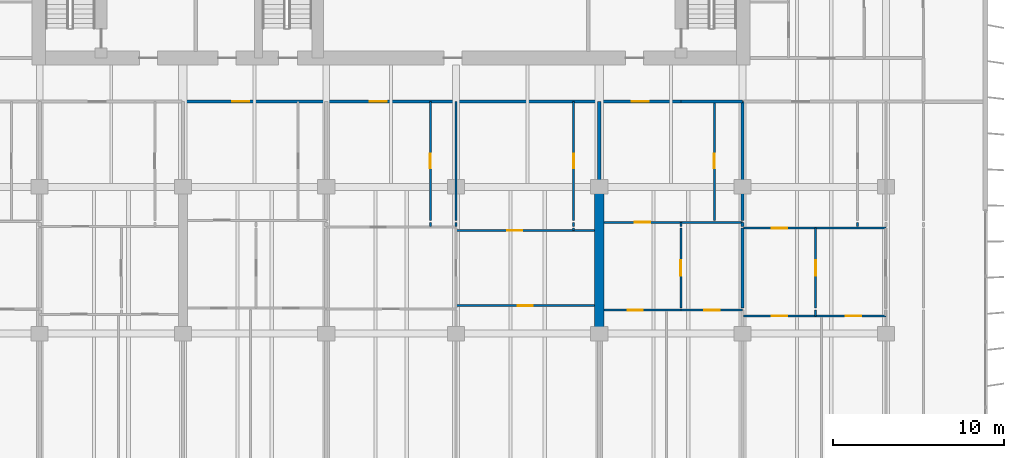
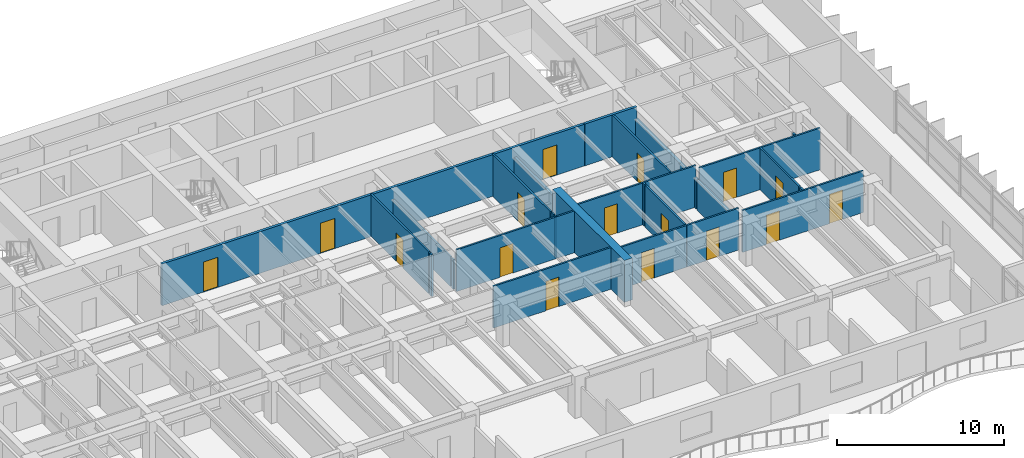
# One storey, part 9 of 17: 28 walls, 16 doors, 16 openings.
"""IFC4 building model written with IfcOpenShell, lengths in metres."""

from ifc_helpers import new_model, si_unit, direction, frame, frame_2d, origin, place, context, subcontext, project, spatial, rectangle, extrude, material, layer, layer_set, type_object, element, fill, save


model = new_model("IFC4")

# Units and contexts
model_context = context("Model", 3, precision=1e-05, world=origin(), true_north=direction((0.0, 1.0)))
body_context = subcontext(model_context, "Body", "Model", "MODEL_VIEW")
ifc_project = project(units=[si_unit("LENGTHUNIT", "METRE"), si_unit("AREAUNIT", "SQUARE_METRE"), si_unit("VOLUMEUNIT", "CUBIC_METRE"), si_unit("PLANEANGLEUNIT", "RADIAN"), si_unit("MASSUNIT", "GRAM", prefix="KILO")], contexts=[model_context])

# Site, building, storey
site_placement = place(None, origin())
site = spatial("IfcSite", under=ifc_project, at=site_placement, CompositionType="ELEMENT")
building_placement = place(site_placement, origin())
building = spatial("IfcBuilding", under=site, at=building_placement, Name="Caelmar Bay Residences", CompositionType="ELEMENT")
storey_placement = place(building_placement, frame((0.0, 0.0, 87.89990234375)))
storey = spatial("IfcBuildingStorey", under=building, at=storey_placement, Name="L23", CompositionType="ELEMENT", Elevation=87.89990234375)

# Wall
ifc_material_1 = material(Name="Concrete f'c 70 MPa (10,000 psi)", Category="concrete")
ifc_layer_1 = layer(ifc_material_1, 0.550048828125)
ifc_layer_set_1 = layer_set([ifc_layer_1], Name="Concrete f'c 70 MPa (10,000 psi)")
wall_type_1 = type_object("IfcWallType", Name="SW-XSLB-550", PredefinedType="SHEAR", material=ifc_layer_set_1)
wall_1_placement = place(storey_placement, frame((51.10009765625, 20.800048828125, 0.0), z_axis=(0.0, 0.0, 1.0), x_axis=(0.0, 1.0, 0.0)))
element("IfcWall", 1, at=wall_1_placement, inside=storey, type_object=wall_type_1, Name="L23 Transverse Cross-Slab Shear Wall E8", PredefinedType="SHEAR", context=body_context, shape_type="SweptSolid", body=[
    extrude(rectangle(XDim=8.599853515625, YDim=0.550048828125, at=frame_2d((4.2998046875, 0.0))), origin(), (0.0, 0.0, 1.0), 3.050048828125),
])

# Wall, openings, doors
ifc_material_2 = material(Name="Double-stud acoustic fire-rated gypsum partition 180 mm")
ifc_layer_2 = layer(ifc_material_2, 0.179931640625)
ifc_layer_set_2 = layer_set([ifc_layer_2], Name="Double-stud acoustic fire-rated gypsum partition 180 mm")
wall_type_2 = type_object("IfcWallType", Name="W-COR-200", PredefinedType="PARTITIONING", material=ifc_layer_set_2)
wall_2_placement = place(storey_placement, frame((26.699951171875, 34.39990234375, 0.0), z_axis=(0.0, 0.0, 1.0), x_axis=(1.0, 0.0, 0.0)))
wall_2 = element("IfcWall", 2, at=wall_2_placement, inside=storey, type_object=wall_type_2, Name="L23 Partition Wall H132", PredefinedType="PARTITIONING", context=body_context, shape_type="SweptSolid", body=[
    extrude(rectangle(XDim=29.18603515625, YDim=0.179931640625, at=frame_2d((14.593017578125, 0.0))), origin(), (0.0, 0.0, 1.0), 3.050048828125),
])
opening_1_placement = place(wall_2_placement, frame((2.875, 0.0, 0.0)))
opening_1 = element("IfcOpeningElement", 3, at=opening_1_placement, cuts=wall_2, Name="Opening D-L23-138", PredefinedType="OPENING", context=body_context, shape_type="SweptSolid", body=[
    extrude(rectangle(XDim=1.0, YDim=2.199951171875, at=frame_2d((0.5, 1.10009765625))), frame((0.0, 0.099853515625, 0.0), z_axis=(0.0, -1.0, 0.0), x_axis=(1.0, 0.0, 0.0)), (0.0, 0.0, 1.0), 0.199951171875),
])
opening_2_placement = place(wall_2_placement, frame((10.949951171875, 0.0, 0.0)))
opening_2 = element("IfcOpeningElement", 4, at=opening_2_placement, cuts=wall_2, Name="Opening D-L23-145", PredefinedType="OPENING", context=body_context, shape_type="SweptSolid", body=[
    extrude(rectangle(XDim=1.0, YDim=2.199951171875, at=frame_2d((0.5, 1.10009765625))), frame((0.0, 0.099853515625, 0.0), z_axis=(0.0, -1.0, 0.0), x_axis=(1.0, 0.0, 0.0)), (0.0, 0.0, 1.0), 0.199951171875),
])
opening_3_placement = place(wall_2_placement, frame((26.29296875, 0.0, 0.0)))
opening_3 = element("IfcOpeningElement", 5, at=opening_3_placement, cuts=wall_2, Name="Opening D-L23-154", PredefinedType="OPENING", context=body_context, shape_type="SweptSolid", body=[
    extrude(rectangle(XDim=1.0, YDim=2.199951171875, at=frame_2d((0.5, 1.10009765625))), frame((0.0, 0.099853515625, 0.0), z_axis=(0.0, -1.0, 0.0), x_axis=(1.0, 0.0, 0.0)), (0.0, 0.0, 1.0), 0.199951171875),
])
ifc_material_3 = material(Name="Fire-rated steel and walnut architectural door assembly", Category="steel")
ifc_layer_3 = layer(ifc_material_3, 0.050048828125)
ifc_layer_set_3 = layer_set([ifc_layer_3], Name="Fire-rated steel and walnut architectural door assembly")
door_type_1 = type_object("IfcDoorType", Name="D-UNIT-1000", OperationType="NOTDEFINED", PredefinedType="DOOR", material=ifc_layer_set_3)
door_1_placement = place(opening_1_placement, origin())
door_1 = element("IfcDoor", 6, at=door_1_placement, inside=storey, type_object=door_type_1, Name="L23 Residence 03 Apartment Hall Door", OperationType="SINGLE_SWING_RIGHT", OverallHeight=2.199951171875, OverallWidth=1.0, PredefinedType="DOOR", context=body_context, shape_type="SweptSolid", body=[
    extrude(rectangle(XDim=1.0, YDim=2.199951171875, at=frame_2d((0.5, 1.10009765625))), frame((0.0, 0.02490234375, 0.0), z_axis=(0.0, -1.0, 0.0), x_axis=(1.0, 0.0, 0.0)), (0.0, 0.0, 1.0), 0.050048828125),
])
fill(opening_1, door_1)
door_2_placement = place(opening_2_placement, origin())
door_2 = element("IfcDoor", 7, at=door_2_placement, inside=storey, type_object=door_type_1, Name="L23 Residence 04 Apartment Hall Door", OperationType="SINGLE_SWING_LEFT", OverallHeight=2.199951171875, OverallWidth=1.0, PredefinedType="DOOR", context=body_context, shape_type="SweptSolid", body=[
    extrude(rectangle(XDim=1.0, YDim=2.199951171875, at=frame_2d((0.5, 1.10009765625))), frame((0.0, 0.02490234375, 0.0), z_axis=(0.0, -1.0, 0.0), x_axis=(1.0, 0.0, 0.0)), (0.0, 0.0, 1.0), 0.050048828125),
])
fill(opening_2, door_2)
door_3_placement = place(opening_3_placement, origin())
door_3 = element("IfcDoor", 8, at=door_3_placement, inside=storey, type_object=door_type_1, Name="L23 Residence 05 Apartment Hall Door", OperationType="SINGLE_SWING_RIGHT", OverallHeight=2.199951171875, OverallWidth=1.0, PredefinedType="DOOR", context=body_context, shape_type="SweptSolid", body=[
    extrude(rectangle(XDim=1.0, YDim=2.199951171875, at=frame_2d((0.5, 1.10009765625))), frame((0.0, 0.02490234375, 0.0), z_axis=(0.0, -1.0, 0.0), x_axis=(1.0, 0.0, 0.0)), (0.0, 0.0, 1.0), 0.050048828125),
])
fill(opening_3, door_3)

# Walls
wall_3_placement = place(storey_placement, frame((55.89990234375, 34.39990234375, 0.0), z_axis=(0.0, 0.0, 1.0), x_axis=(1.0, 0.0, 0.0)))
element("IfcWall", 9, at=wall_3_placement, inside=storey, type_object=wall_type_2, Name="L23 Partition Wall H133", PredefinedType="PARTITIONING", context=body_context, shape_type="SweptSolid", body=[
    extrude(rectangle(XDim=3.60009765625, YDim=0.179931640625, at=frame_2d((1.800048828125, 0.0))), origin(), (0.0, 0.0, 1.0), 3.050048828125),
])
ifc_material_4 = material(Name="Acoustic metal-stud gypsum partition 120 mm")
ifc_layer_4 = layer(ifc_material_4, 0.1201171875)
ifc_layer_set_4 = layer_set([ifc_layer_4], Name="Acoustic metal-stud gypsum partition 120 mm")
wall_type_3 = type_object("IfcWallType", Name="W-PRT-120", PredefinedType="PARTITIONING", material=ifc_layer_set_4)
wall_4_placement = place(storey_placement, frame((41.199951171875, 27.080078125, 0.0), z_axis=(0.0, 0.0, 1.0), x_axis=(0.0, 1.0, 0.0)))
element("IfcWall", 10, at=wall_4_placement, inside=storey, type_object=wall_type_3, Name="L23 Partition Wall V053", PredefinedType="PARTITIONING", context=body_context, shape_type="SweptSolid", body=[
    extrude(rectangle(XDim=0.239990234375, YDim=0.1201171875, at=frame_2d((0.1201171875, 0.0))), origin(), (0.0, 0.0, 1.0), 3.050048828125),
])

# Wall, opening, door
wall_5_placement = place(storey_placement, frame((41.199951171875, 27.43994140625, 0.0), z_axis=(0.0, 0.0, 1.0), x_axis=(0.0, 1.0, 0.0)))
wall_5 = element("IfcWall", 11, at=wall_5_placement, inside=storey, type_object=wall_type_3, Name="L23 Partition Wall V054", PredefinedType="PARTITIONING", context=body_context, shape_type="SweptSolid", body=[
    extrude(rectangle(XDim=6.9599609375, YDim=0.1201171875, at=frame_2d((3.47998046875, 0.0))), origin(), (0.0, 0.0, 1.0), 3.050048828125),
])
opening_4_placement = place(wall_5_placement, frame((3.054931640625, 0.0, 0.0)))
opening_4 = element("IfcOpeningElement", 12, at=opening_4_placement, cuts=wall_5, Name="Opening D-L23-146", PredefinedType="OPENING", context=body_context, shape_type="SweptSolid", body=[
    extrude(rectangle(XDim=0.85009765625, YDim=2.10009765625, at=frame_2d((0.425048828125, 1.050048828125))), frame((0.0, 0.070068359375, 0.0), z_axis=(0.0, -1.0, 0.0), x_axis=(1.0, 0.0, 0.0)), (0.0, 0.0, 1.0), 0.14013671875),
])
ifc_material_5 = material(Name="Solid walnut timber interior door leaf and frame", Category="wood")
ifc_layer_5 = layer(ifc_material_5, 0.050048828125)
ifc_layer_set_5 = layer_set([ifc_layer_5], Name="Solid walnut timber interior door leaf and frame")
door_type_2 = type_object("IfcDoorType", Name="D-BATH-850", OperationType="NOTDEFINED", PredefinedType="DOOR", material=ifc_layer_set_5)
door_4_placement = place(opening_4_placement, origin())
door_4 = element("IfcDoor", 13, at=door_4_placement, inside=storey, type_object=door_type_2, Name="L23 Residence 04 Guest Bathroom Door", OperationType="SINGLE_SWING_RIGHT", OverallHeight=2.10009765625, OverallWidth=0.85009765625, PredefinedType="DOOR", context=body_context, shape_type="SweptSolid", body=[
    extrude(rectangle(XDim=0.85009765625, YDim=2.10009765625, at=frame_2d((0.425048828125, 1.050048828125))), frame((0.0, 0.02490234375, 0.0), z_axis=(0.0, -1.0, 0.0), x_axis=(1.0, 0.0, 0.0)), (0.0, 0.0, 1.0), 0.050048828125),
])
fill(opening_4, door_4)

# Walls
wall_6_placement = place(storey_placement, frame((42.699951171875, 27.080078125, 0.0), z_axis=(0.0, 0.0, 1.0), x_axis=(0.0, 1.0, 0.0)))
element("IfcWall", 14, at=wall_6_placement, inside=storey, type_object=wall_type_3, Name="L23 Partition Wall V058", PredefinedType="PARTITIONING", context=body_context, shape_type="SweptSolid", body=[
    extrude(rectangle(XDim=0.239990234375, YDim=0.1201171875, at=frame_2d((0.1201171875, 0.0))), origin(), (0.0, 0.0, 1.0), 2.174072265625),
])
wall_7_placement = place(storey_placement, frame((42.699951171875, 27.43994140625, 0.0), z_axis=(0.0, 0.0, 1.0), x_axis=(0.0, 1.0, 0.0)))
element("IfcWall", 15, at=wall_7_placement, inside=storey, type_object=wall_type_3, Name="L23 Partition Wall V059", PredefinedType="PARTITIONING", context=body_context, shape_type="SweptSolid", body=[
    extrude(rectangle(XDim=6.9599609375, YDim=0.1201171875, at=frame_2d((3.47998046875, 0.0))), origin(), (0.0, 0.0, 1.0), 2.174072265625),
])
wall_8_placement = place(storey_placement, frame((49.60009765625, 26.840087890625, 0.0), z_axis=(0.0, 0.0, 1.0), x_axis=(0.0, 1.0, 0.0)))
element("IfcWall", 16, at=wall_8_placement, inside=storey, type_object=wall_type_3, Name="L23 Partition Wall V064", PredefinedType="PARTITIONING", context=body_context, shape_type="SweptSolid", body=[
    extrude(rectangle(XDim=0.139892578125, YDim=0.1201171875, at=frame_2d((0.06982421875, 0.0))), origin(), (0.0, 0.0, 1.0), 3.050048828125),
])
wall_9_placement = place(storey_placement, frame((49.60009765625, 27.080078125, 0.0), z_axis=(0.0, 0.0, 1.0), x_axis=(0.0, 1.0, 0.0)))
element("IfcWall", 17, at=wall_9_placement, inside=storey, type_object=wall_type_3, Name="L23 Partition Wall V065", PredefinedType="PARTITIONING", context=body_context, shape_type="SweptSolid", body=[
    extrude(rectangle(XDim=0.239990234375, YDim=0.1201171875, at=frame_2d((0.1201171875, 0.0))), origin(), (0.0, 0.0, 1.0), 3.050048828125),
])

# Wall, opening, door
wall_10_placement = place(storey_placement, frame((49.60009765625, 27.43994140625, 0.0), z_axis=(0.0, 0.0, 1.0), x_axis=(0.0, 1.0, 0.0)))
wall_10 = element("IfcWall", 18, at=wall_10_placement, inside=storey, type_object=wall_type_3, Name="L23 Partition Wall V066", PredefinedType="PARTITIONING", context=body_context, shape_type="SweptSolid", body=[
    extrude(rectangle(XDim=6.9599609375, YDim=0.1201171875, at=frame_2d((3.47998046875, 0.0))), origin(), (0.0, 0.0, 1.0), 3.050048828125),
])
opening_5_placement = place(wall_10_placement, frame((3.054931640625, 0.0, 0.0)))
opening_5 = element("IfcOpeningElement", 19, at=opening_5_placement, cuts=wall_10, Name="Opening D-L23-151", PredefinedType="OPENING", context=body_context, shape_type="SweptSolid", body=[
    extrude(rectangle(XDim=0.85009765625, YDim=2.10009765625, at=frame_2d((0.425048828125, 1.050048828125))), frame((0.0, 0.070068359375, 0.0), z_axis=(0.0, -1.0, 0.0), x_axis=(1.0, 0.0, 0.0)), (0.0, 0.0, 1.0), 0.14013671875),
])
door_5_placement = place(opening_5_placement, origin())
door_5 = element("IfcDoor", 20, at=door_5_placement, inside=storey, type_object=door_type_2, Name="L23 Residence 04 En-Suite Bathroom 1 Door", OperationType="SINGLE_SWING_LEFT", OverallHeight=2.10009765625, OverallWidth=0.85009765625, PredefinedType="DOOR", context=body_context, shape_type="SweptSolid", body=[
    extrude(rectangle(XDim=0.85009765625, YDim=2.10009765625, at=frame_2d((0.425048828125, 1.050048828125))), frame((0.0, 0.02490234375, 0.0), z_axis=(0.0, -1.0, 0.0), x_axis=(1.0, 0.0, 0.0)), (0.0, 0.0, 1.0), 0.050048828125),
])
fill(opening_5, door_5)

wall_11_placement = place(storey_placement, frame((55.885986328125, 22.2900390625, 0.0), z_axis=(0.0, 0.0, 1.0), x_axis=(0.0, 1.0, 0.0)))
wall_11 = element("IfcWall", 21, at=wall_11_placement, inside=storey, type_object=wall_type_3, Name="L23 Partition Wall V076", PredefinedType="PARTITIONING", context=body_context, shape_type="SweptSolid", body=[
    extrude(rectangle(XDim=4.68994140625, YDim=0.1201171875, at=frame_2d((2.344970703125, 0.0))), origin(), (0.0, 0.0, 1.0), 3.050048828125),
])
opening_6_placement = place(wall_11_placement, frame((1.89501953125, 0.0, 0.0)))
opening_6 = element("IfcOpeningElement", 22, at=opening_6_placement, cuts=wall_11, Name="Opening D-L23-157", PredefinedType="OPENING", context=body_context, shape_type="SweptSolid", body=[
    extrude(rectangle(XDim=0.89990234375, YDim=2.14990234375, at=frame_2d((0.449951171875, 1.074951171875))), frame((0.0, 0.070068359375, 0.0), z_axis=(0.0, -1.0, 0.0), x_axis=(1.0, 0.0, 0.0)), (0.0, 0.0, 1.0), 0.14013671875),
])
ifc_layer_6 = layer(ifc_material_5, 0.050048828125)
ifc_layer_set_6 = layer_set([ifc_layer_6], Name="Solid walnut timber interior door leaf and frame")
door_type_3 = type_object("IfcDoorType", Name="D-ROOM-900", OperationType="NOTDEFINED", PredefinedType="DOOR", material=ifc_layer_set_6)
door_6_placement = place(opening_6_placement, origin())
door_6 = element("IfcDoor", 23, at=door_6_placement, inside=storey, type_object=door_type_3, Name="L23 Residence 05 Study Door", OperationType="SINGLE_SWING_LEFT", OverallHeight=2.14990234375, OverallWidth=0.89990234375, PredefinedType="DOOR", context=body_context, shape_type="SweptSolid", body=[
    extrude(rectangle(XDim=0.89990234375, YDim=2.14990234375, at=frame_2d((0.449951171875, 1.074951171875))), frame((0.0, 0.02490234375, 0.0), z_axis=(0.0, -1.0, 0.0), x_axis=(1.0, 0.0, 0.0)), (0.0, 0.0, 1.0), 0.050048828125),
])
fill(opening_6, door_6)

# Wall
wall_12_placement = place(storey_placement, frame((55.885986328125, 27.080078125, 0.0), z_axis=(0.0, 0.0, 1.0), x_axis=(0.0, 1.0, 0.0)))
element("IfcWall", 24, at=wall_12_placement, inside=storey, type_object=wall_type_3, Name="L23 Partition Wall V077", PredefinedType="PARTITIONING", context=body_context, shape_type="SweptSolid", body=[
    extrude(rectangle(XDim=0.239990234375, YDim=0.1201171875, at=frame_2d((0.1201171875, 0.0))), origin(), (0.0, 0.0, 1.0), 3.050048828125),
])

# Wall, opening, door
wall_13_placement = place(storey_placement, frame((57.85009765625, 27.43994140625, 0.0), z_axis=(0.0, 0.0, 1.0), x_axis=(0.0, 1.0, 0.0)))
wall_13 = element("IfcWall", 25, at=wall_13_placement, inside=storey, type_object=wall_type_3, Name="L23 Partition Wall V079", PredefinedType="PARTITIONING", context=body_context, shape_type="SweptSolid", body=[
    extrude(rectangle(XDim=6.9599609375, YDim=0.1201171875, at=frame_2d((3.47998046875, 0.0))), origin(), (0.0, 0.0, 1.0), 3.050048828125),
])
opening_7_placement = place(wall_13_placement, frame((3.054931640625, 0.0, 0.0)))
opening_7 = element("IfcOpeningElement", 26, at=opening_7_placement, cuts=wall_13, Name="Opening D-L23-155", PredefinedType="OPENING", context=body_context, shape_type="SweptSolid", body=[
    extrude(rectangle(XDim=0.85009765625, YDim=2.10009765625, at=frame_2d((0.425048828125, 1.050048828125))), frame((0.0, 0.070068359375, 0.0), z_axis=(0.0, -1.0, 0.0), x_axis=(1.0, 0.0, 0.0)), (0.0, 0.0, 1.0), 0.14013671875),
])
door_7_placement = place(opening_7_placement, origin())
door_7 = element("IfcDoor", 27, at=door_7_placement, inside=storey, type_object=door_type_2, Name="L23 Residence 05 Bathroom Door", OperationType="SINGLE_SWING_LEFT", OverallHeight=2.10009765625, OverallWidth=0.85009765625, PredefinedType="DOOR", context=body_context, shape_type="SweptSolid", body=[
    extrude(rectangle(XDim=0.85009765625, YDim=2.10009765625, at=frame_2d((0.425048828125, 1.050048828125))), frame((0.0, 0.02490234375, 0.0), z_axis=(0.0, -1.0, 0.0), x_axis=(1.0, 0.0, 0.0)), (0.0, 0.0, 1.0), 0.050048828125),
])
fill(opening_7, door_7)

# Wall
wall_14_placement = place(storey_placement, frame((63.785888671875, 21.830078125, 0.0), z_axis=(0.0, 0.0, 1.0), x_axis=(0.0, 1.0, 0.0)))
element("IfcWall", 28, at=wall_14_placement, inside=storey, type_object=wall_type_3, Name="L23 Partition Wall V086", PredefinedType="PARTITIONING", context=body_context, shape_type="SweptSolid", body=[
    extrude(rectangle(XDim=0.33984375, YDim=0.1201171875, at=frame_2d((0.169921875, 0.0))), origin(), (0.0, 0.0, 1.0), 3.050048828125),
])

# Wall, opening, door
wall_15_placement = place(storey_placement, frame((63.785888671875, 22.2900390625, 0.0), z_axis=(0.0, 0.0, 1.0), x_axis=(0.0, 1.0, 0.0)))
wall_15 = element("IfcWall", 29, at=wall_15_placement, inside=storey, type_object=wall_type_3, Name="L23 Partition Wall V087", PredefinedType="PARTITIONING", context=body_context, shape_type="SweptSolid", body=[
    extrude(rectangle(XDim=4.68994140625, YDim=0.1201171875, at=frame_2d((2.344970703125, 0.0))), origin(), (0.0, 0.0, 1.0), 3.050048828125),
])
opening_8_placement = place(wall_15_placement, frame((1.89501953125, 0.0, 0.0)))
opening_8 = element("IfcOpeningElement", 30, at=opening_8_placement, cuts=wall_15, Name="Opening D-L23-164", PredefinedType="OPENING", context=body_context, shape_type="SweptSolid", body=[
    extrude(rectangle(XDim=0.89990234375, YDim=2.14990234375, at=frame_2d((0.449951171875, 1.074951171875))), frame((0.0, 0.070068359375, 0.0), z_axis=(0.0, -1.0, 0.0), x_axis=(1.0, 0.0, 0.0)), (0.0, 0.0, 1.0), 0.14013671875),
])
door_8_placement = place(opening_8_placement, origin())
door_8 = element("IfcDoor", 31, at=door_8_placement, inside=storey, type_object=door_type_3, Name="L23 Residence 06 Study Door", OperationType="SINGLE_SWING_RIGHT", OverallHeight=2.14990234375, OverallWidth=0.89990234375, PredefinedType="DOOR", context=body_context, shape_type="SweptSolid", body=[
    extrude(rectangle(XDim=0.89990234375, YDim=2.14990234375, at=frame_2d((0.449951171875, 1.074951171875))), frame((0.0, 0.02490234375, 0.0), z_axis=(0.0, -1.0, 0.0), x_axis=(1.0, 0.0, 0.0)), (0.0, 0.0, 1.0), 0.050048828125),
])
fill(opening_8, door_8)

# Wall
wall_16_placement = place(storey_placement, frame((66.25, 27.080078125, 0.0), z_axis=(0.0, 0.0, 1.0), x_axis=(0.0, 1.0, 0.0)))
element("IfcWall", 32, at=wall_16_placement, inside=storey, type_object=wall_type_3, Name="L23 Partition Wall V090", PredefinedType="PARTITIONING", context=body_context, shape_type="SweptSolid", body=[
    extrude(rectangle(XDim=0.239990234375, YDim=0.1201171875, at=frame_2d((0.1201171875, 0.0))), origin(), (0.0, 0.0, 1.0), 3.050048828125),
])

# Wall, openings, doors
wall_17_placement = place(storey_placement, frame((59.550048828125, 21.830078125, 0.0), z_axis=(0.0, 0.0, 1.0), x_axis=(1.0, 0.0, 0.0)))
wall_17 = element("IfcWall", 33, at=wall_17_placement, inside=storey, type_object=wall_type_3, Name="L23 Partition Wall H113", PredefinedType="PARTITIONING", context=body_context, shape_type="SweptSolid", body=[
    extrude(rectangle(XDim=8.349853515625, YDim=0.1201171875, at=frame_2d((4.1748046875, 0.0))), origin(), (0.0, 0.0, 1.0), 3.050048828125),
])
opening_9_placement = place(wall_17_placement, frame((1.66796875, 0.0, 0.0)))
opening_9 = element("IfcOpeningElement", 34, at=opening_9_placement, cuts=wall_17, Name="Opening D-L23-165", PredefinedType="OPENING", context=body_context, shape_type="SweptSolid", body=[
    extrude(rectangle(XDim=0.89990234375, YDim=2.14990234375, at=frame_2d((0.449951171875, 1.074951171875))), frame((0.0, 0.070068359375, 0.0), z_axis=(0.0, -1.0, 0.0), x_axis=(1.0, 0.0, 0.0)), (0.0, 0.0, 1.0), 0.14013671875),
])
opening_10_placement = place(wall_17_placement, frame((6.010009765625, 0.0, 0.0)))
opening_10 = element("IfcOpeningElement", 35, at=opening_10_placement, cuts=wall_17, Name="Opening D-L23-166", PredefinedType="OPENING", context=body_context, shape_type="SweptSolid", body=[
    extrude(rectangle(XDim=0.89990234375, YDim=2.14990234375, at=frame_2d((0.449951171875, 1.074951171875))), frame((0.0, 0.070068359375, 0.0), z_axis=(0.0, -1.0, 0.0), x_axis=(1.0, 0.0, 0.0)), (0.0, 0.0, 1.0), 0.14013671875),
])
door_9_placement = place(opening_9_placement, origin())
door_9 = element("IfcDoor", 36, at=door_9_placement, inside=storey, type_object=door_type_3, Name="L23 Residence 06 Living Room Door", OperationType="SINGLE_SWING_LEFT", OverallHeight=2.14990234375, OverallWidth=0.89990234375, PredefinedType="DOOR", context=body_context, shape_type="SweptSolid", body=[
    extrude(rectangle(XDim=0.89990234375, YDim=2.14990234375, at=frame_2d((0.449951171875, 1.074951171875))), frame((0.0, 0.02490234375, 0.0), z_axis=(0.0, -1.0, 0.0), x_axis=(1.0, 0.0, 0.0)), (0.0, 0.0, 1.0), 0.050048828125),
])
fill(opening_9, door_9)
door_10_placement = place(opening_10_placement, origin())
door_10 = element("IfcDoor", 37, at=door_10_placement, inside=storey, type_object=door_type_3, Name="L23 Residence 06 Penthouse Sitting Room Door", OperationType="SINGLE_SWING_RIGHT", OverallHeight=2.14990234375, OverallWidth=0.89990234375, PredefinedType="DOOR", context=body_context, shape_type="SweptSolid", body=[
    extrude(rectangle(XDim=0.89990234375, YDim=2.14990234375, at=frame_2d((0.449951171875, 1.074951171875))), frame((0.0, 0.02490234375, 0.0), z_axis=(0.0, -1.0, 0.0), x_axis=(1.0, 0.0, 0.0)), (0.0, 0.0, 1.0), 0.050048828125),
])
fill(opening_10, door_10)

# Wall, opening, door
wall_18_placement = place(storey_placement, frame((51.3701171875, 22.169921875, 0.0), z_axis=(0.0, 0.0, 1.0), x_axis=(1.0, 0.0, 0.0)))
wall_18 = element("IfcWall", 38, at=wall_18_placement, inside=storey, type_object=wall_type_3, Name="L23 Partition Wall H115", PredefinedType="PARTITIONING", context=body_context, shape_type="SweptSolid", body=[
    extrude(rectangle(XDim=4.515869140625, YDim=0.1201171875, at=frame_2d((2.2578125, 0.0))), origin(), (0.0, 0.0, 1.0), 3.050048828125),
])
opening_11_placement = place(wall_18_placement, frame((1.388916015625, 0.0, 0.0)))
opening_11 = element("IfcOpeningElement", 39, at=opening_11_placement, cuts=wall_18, Name="Opening D-L23-158", PredefinedType="OPENING", context=body_context, shape_type="SweptSolid", body=[
    extrude(rectangle(XDim=0.89990234375, YDim=2.14990234375, at=frame_2d((0.449951171875, 1.074951171875))), frame((0.0, 0.070068359375, 0.0), z_axis=(0.0, -1.0, 0.0), x_axis=(1.0, 0.0, 0.0)), (0.0, 0.0, 1.0), 0.14013671875),
])
door_11_placement = place(opening_11_placement, origin())
door_11 = element("IfcDoor", 40, at=door_11_placement, inside=storey, type_object=door_type_3, Name="L23 Residence 05 Living Room Door", OperationType="SINGLE_SWING_RIGHT", OverallHeight=2.14990234375, OverallWidth=0.89990234375, PredefinedType="DOOR", context=body_context, shape_type="SweptSolid", body=[
    extrude(rectangle(XDim=0.89990234375, YDim=2.14990234375, at=frame_2d((0.449951171875, 1.074951171875))), frame((0.0, 0.02490234375, 0.0), z_axis=(0.0, -1.0, 0.0), x_axis=(1.0, 0.0, 0.0)), (0.0, 0.0, 1.0), 0.050048828125),
])
fill(opening_11, door_11)

wall_19_placement = place(storey_placement, frame((55.89990234375, 22.169921875, 0.0), z_axis=(0.0, 0.0, 1.0), x_axis=(1.0, 0.0, 0.0)))
wall_19 = element("IfcWall", 41, at=wall_19_placement, inside=storey, type_object=wall_type_3, Name="L23 Partition Wall H116", PredefinedType="PARTITIONING", context=body_context, shape_type="SweptSolid", body=[
    extrude(rectangle(XDim=3.60009765625, YDim=0.1201171875, at=frame_2d((1.800048828125, 0.0))), origin(), (0.0, 0.0, 1.0), 3.050048828125),
])
opening_12_placement = place(wall_19_placement, frame((1.35009765625, 0.0, 0.0)))
opening_12 = element("IfcOpeningElement", 42, at=opening_12_placement, cuts=wall_19, Name="Opening D-L23-159", PredefinedType="OPENING", context=body_context, shape_type="SweptSolid", body=[
    extrude(rectangle(XDim=0.89990234375, YDim=2.14990234375, at=frame_2d((0.449951171875, 1.074951171875))), frame((0.0, 0.070068359375, 0.0), z_axis=(0.0, -1.0, 0.0), x_axis=(1.0, 0.0, 0.0)), (0.0, 0.0, 1.0), 0.14013671875),
])
door_12_placement = place(opening_12_placement, origin())
door_12 = element("IfcDoor", 43, at=door_12_placement, inside=storey, type_object=door_type_3, Name="L23 Residence 05 Penthouse Sitting Room Door", OperationType="SINGLE_SWING_LEFT", OverallHeight=2.14990234375, OverallWidth=0.89990234375, PredefinedType="DOOR", context=body_context, shape_type="SweptSolid", body=[
    extrude(rectangle(XDim=0.89990234375, YDim=2.14990234375, at=frame_2d((0.449951171875, 1.074951171875))), frame((0.0, 0.02490234375, 0.0), z_axis=(0.0, -1.0, 0.0), x_axis=(1.0, 0.0, 0.0)), (0.0, 0.0, 1.0), 0.050048828125),
])
fill(opening_12, door_12)

wall_20_placement = place(storey_placement, frame((42.699951171875, 22.43994140625, 0.0), z_axis=(0.0, 0.0, 1.0), x_axis=(1.0, 0.0, 0.0)))
wall_20 = element("IfcWall", 44, at=wall_20_placement, inside=storey, type_object=wall_type_3, Name="L23 Partition Wall H120", PredefinedType="PARTITIONING", context=body_context, shape_type="SweptSolid", body=[
    extrude(rectangle(XDim=8.130126953125, YDim=0.1201171875, at=frame_2d((4.06494140625, 0.0))), origin(), (0.0, 0.0, 1.0), 3.050048828125),
])
opening_13_placement = place(wall_20_placement, frame((3.614990234375, 0.0, 0.0)))
opening_13 = element("IfcOpeningElement", 45, at=opening_13_placement, cuts=wall_20, Name="Opening D-L23-152", PredefinedType="OPENING", context=body_context, shape_type="SweptSolid", body=[
    extrude(rectangle(XDim=0.89990234375, YDim=2.14990234375, at=frame_2d((0.449951171875, 1.074951171875))), frame((0.0, 0.070068359375, 0.0), z_axis=(0.0, -1.0, 0.0), x_axis=(1.0, 0.0, 0.0)), (0.0, 0.0, 1.0), 0.14013671875),
])
door_13_placement = place(opening_13_placement, origin())
door_13 = element("IfcDoor", 46, at=door_13_placement, inside=storey, type_object=door_type_3, Name="L23 Residence 04 Penthouse Sitting Salon 1 Door", OperationType="SINGLE_SWING_RIGHT", OverallHeight=2.14990234375, OverallWidth=0.89990234375, PredefinedType="DOOR", context=body_context, shape_type="SweptSolid", body=[
    extrude(rectangle(XDim=0.89990234375, YDim=2.14990234375, at=frame_2d((0.449951171875, 1.074951171875))), frame((0.0, 0.02490234375, 0.0), z_axis=(0.0, -1.0, 0.0), x_axis=(1.0, 0.0, 0.0)), (0.0, 0.0, 1.0), 0.050048828125),
])
fill(opening_13, door_13)

wall_21_placement = place(storey_placement, frame((42.699951171875, 26.840087890625, 0.0), z_axis=(0.0, 0.0, 1.0), x_axis=(1.0, 0.0, 0.0)))
wall_21 = element("IfcWall", 47, at=wall_21_placement, inside=storey, type_object=wall_type_3, Name="L23 Partition Wall H121", PredefinedType="PARTITIONING", context=body_context, shape_type="SweptSolid", body=[
    extrude(rectangle(XDim=8.130126953125, YDim=0.1201171875, at=frame_2d((4.06494140625, 0.0))), origin(), (0.0, 0.0, 1.0), 3.050048828125),
])
opening_14_placement = place(wall_21_placement, frame((3.0, 0.0, 0.0)))
opening_14 = element("IfcOpeningElement", 48, at=opening_14_placement, cuts=wall_21, Name="Opening D-L23-150", PredefinedType="OPENING", context=body_context, shape_type="SweptSolid", body=[
    extrude(rectangle(XDim=0.89990234375, YDim=2.14990234375, at=frame_2d((0.449951171875, 1.074951171875))), frame((0.0, 0.070068359375, 0.0), z_axis=(0.0, -1.0, 0.0), x_axis=(1.0, 0.0, 0.0)), (0.0, 0.0, 1.0), 0.14013671875),
])
door_14_placement = place(opening_14_placement, origin())
door_14 = element("IfcDoor", 49, at=door_14_placement, inside=storey, type_object=door_type_3, Name="L23 Residence 04 Sitting Room 1 Door", OperationType="SINGLE_SWING_RIGHT", OverallHeight=2.14990234375, OverallWidth=0.89990234375, PredefinedType="DOOR", context=body_context, shape_type="SweptSolid", body=[
    extrude(rectangle(XDim=0.89990234375, YDim=2.14990234375, at=frame_2d((0.449951171875, 1.074951171875))), frame((0.0, 0.02490234375, 0.0), z_axis=(0.0, -1.0, 0.0), x_axis=(1.0, 0.0, 0.0)), (0.0, 0.0, 1.0), 0.050048828125),
])
fill(opening_14, door_14)

wall_22_placement = place(storey_placement, frame((59.550048828125, 26.97998046875, 0.0), z_axis=(0.0, 0.0, 1.0), x_axis=(1.0, 0.0, 0.0)))
wall_22 = element("IfcWall", 50, at=wall_22_placement, inside=storey, type_object=wall_type_3, Name="L23 Partition Wall H122", PredefinedType="PARTITIONING", context=body_context, shape_type="SweptSolid", body=[
    extrude(rectangle(XDim=8.349853515625, YDim=0.1201171875, at=frame_2d((4.1748046875, 0.0))), origin(), (0.0, 0.0, 1.0), 3.050048828125),
])
opening_15_placement = place(wall_22_placement, frame((1.66796875, 0.0, 0.0)))
opening_15 = element("IfcOpeningElement", 51, at=opening_15_placement, cuts=wall_22, Name="Opening D-L23-163", PredefinedType="OPENING", context=body_context, shape_type="SweptSolid", body=[
    extrude(rectangle(XDim=0.89990234375, YDim=2.14990234375, at=frame_2d((0.449951171875, 1.074951171875))), frame((0.0, 0.070068359375, 0.0), z_axis=(0.0, -1.0, 0.0), x_axis=(1.0, 0.0, 0.0)), (0.0, 0.0, 1.0), 0.14013671875),
])
door_15_placement = place(opening_15_placement, origin())
door_15 = element("IfcDoor", 52, at=door_15_placement, inside=storey, type_object=door_type_3, Name="L23 Residence 06 Kitchen Door", OperationType="SINGLE_SWING_LEFT", OverallHeight=2.14990234375, OverallWidth=0.89990234375, PredefinedType="DOOR", context=body_context, shape_type="SweptSolid", body=[
    extrude(rectangle(XDim=0.89990234375, YDim=2.14990234375, at=frame_2d((0.449951171875, 1.074951171875))), frame((0.0, 0.02490234375, 0.0), z_axis=(0.0, -1.0, 0.0), x_axis=(1.0, 0.0, 0.0)), (0.0, 0.0, 1.0), 0.050048828125),
])
fill(opening_15, door_15)

wall_23_placement = place(storey_placement, frame((51.3701171875, 27.320068359375, 0.0), z_axis=(0.0, 0.0, 1.0), x_axis=(1.0, 0.0, 0.0)))
wall_23 = element("IfcWall", 53, at=wall_23_placement, inside=storey, type_object=wall_type_3, Name="L23 Partition Wall H125", PredefinedType="PARTITIONING", context=body_context, shape_type="SweptSolid", body=[
    extrude(rectangle(XDim=4.515869140625, YDim=0.1201171875, at=frame_2d((2.2578125, 0.0))), origin(), (0.0, 0.0, 1.0), 3.050048828125),
])
opening_16_placement = place(wall_23_placement, frame((1.80810546875, 0.0, 0.0)))
opening_16 = element("IfcOpeningElement", 54, at=opening_16_placement, cuts=wall_23, Name="Opening D-L23-156", PredefinedType="OPENING", context=body_context, shape_type="SweptSolid", body=[
    extrude(rectangle(XDim=0.89990234375, YDim=2.14990234375, at=frame_2d((0.449951171875, 1.074951171875))), frame((0.0, 0.070068359375, 0.0), z_axis=(0.0, -1.0, 0.0), x_axis=(1.0, 0.0, 0.0)), (0.0, 0.0, 1.0), 0.14013671875),
])
door_16_placement = place(opening_16_placement, origin())
door_16 = element("IfcDoor", 55, at=door_16_placement, inside=storey, type_object=door_type_3, Name="L23 Residence 05 Kitchen Door", OperationType="SINGLE_SWING_RIGHT", OverallHeight=2.14990234375, OverallWidth=0.89990234375, PredefinedType="DOOR", context=body_context, shape_type="SweptSolid", body=[
    extrude(rectangle(XDim=0.89990234375, YDim=2.14990234375, at=frame_2d((0.449951171875, 1.074951171875))), frame((0.0, 0.02490234375, 0.0), z_axis=(0.0, -1.0, 0.0), x_axis=(1.0, 0.0, 0.0)), (0.0, 0.0, 1.0), 0.050048828125),
])
fill(opening_16, door_16)

# Walls
wall_24_placement = place(storey_placement, frame((55.89990234375, 27.320068359375, 0.0), z_axis=(0.0, 0.0, 1.0), x_axis=(1.0, 0.0, 0.0)))
element("IfcWall", 56, at=wall_24_placement, inside=storey, type_object=wall_type_3, Name="L23 Partition Wall H126", PredefinedType="PARTITIONING", context=body_context, shape_type="SweptSolid", body=[
    extrude(rectangle(XDim=3.60009765625, YDim=0.1201171875, at=frame_2d((1.800048828125, 0.0))), origin(), (0.0, 0.0, 1.0), 3.050048828125),
])
ifc_material_6 = material(Name="Acoustic twin-stud fire-rated inter-tenancy partition 200 mm")
ifc_layer_7 = layer(ifc_material_6, 0.199951171875)
ifc_layer_set_7 = layer_set([ifc_layer_7], Name="Acoustic twin-stud fire-rated inter-tenancy partition 200 mm")
wall_type_4 = type_object("IfcWallType", Name="W-PTY-200", PredefinedType="PARTITIONING", material=ifc_layer_set_7)
wall_25_placement = place(storey_placement, frame((51.10009765625, 29.405029296875, 0.0), z_axis=(0.0, 0.0, 1.0), x_axis=(0.0, 1.0, 0.0)))
element("IfcWall", 57, at=wall_25_placement, inside=storey, type_object=wall_type_4, Name="L23 Partition Wall V071", PredefinedType="PARTITIONING", context=body_context, shape_type="SweptSolid", body=[
    extrude(rectangle(XDim=4.994873046875, YDim=0.199951171875, at=frame_2d((2.49755859375, 0.0))), origin(), (0.0, 0.0, 1.0), 2.335205078125),
])
wall_26_placement = place(storey_placement, frame((59.5, 22.2900390625, 0.0), z_axis=(0.0, 0.0, 1.0), x_axis=(0.0, 1.0, 0.0)))
element("IfcWall", 58, at=wall_26_placement, inside=storey, type_object=wall_type_4, Name="L23 Partition Wall V082", PredefinedType="PARTITIONING", context=body_context, shape_type="SweptSolid", body=[
    extrude(rectangle(XDim=4.68994140625, YDim=0.199951171875, at=frame_2d((2.344970703125, 0.0))), origin(), (0.0, 0.0, 1.0), 2.174072265625),
])
wall_27_placement = place(storey_placement, frame((59.5, 27.080078125, 0.0), z_axis=(0.0, 0.0, 1.0), x_axis=(0.0, 1.0, 0.0)))
element("IfcWall", 59, at=wall_27_placement, inside=storey, type_object=wall_type_4, Name="L23 Partition Wall V083", PredefinedType="PARTITIONING", context=body_context, shape_type="SweptSolid", body=[
    extrude(rectangle(XDim=0.239990234375, YDim=0.199951171875, at=frame_2d((0.1201171875, 0.0))), origin(), (0.0, 0.0, 1.0), 2.174072265625),
])
wall_28_placement = place(storey_placement, frame((59.5, 27.43994140625, 0.0), z_axis=(0.0, 0.0, 1.0), x_axis=(0.0, 1.0, 0.0)))
element("IfcWall", 60, at=wall_28_placement, inside=storey, type_object=wall_type_4, Name="L23 Partition Wall V084", PredefinedType="PARTITIONING", context=body_context, shape_type="SweptSolid", body=[
    extrude(rectangle(XDim=6.9599609375, YDim=0.199951171875, at=frame_2d((3.47998046875, 0.0))), origin(), (0.0, 0.0, 1.0), 2.174072265625),
])

save(model, "model.ifc")
